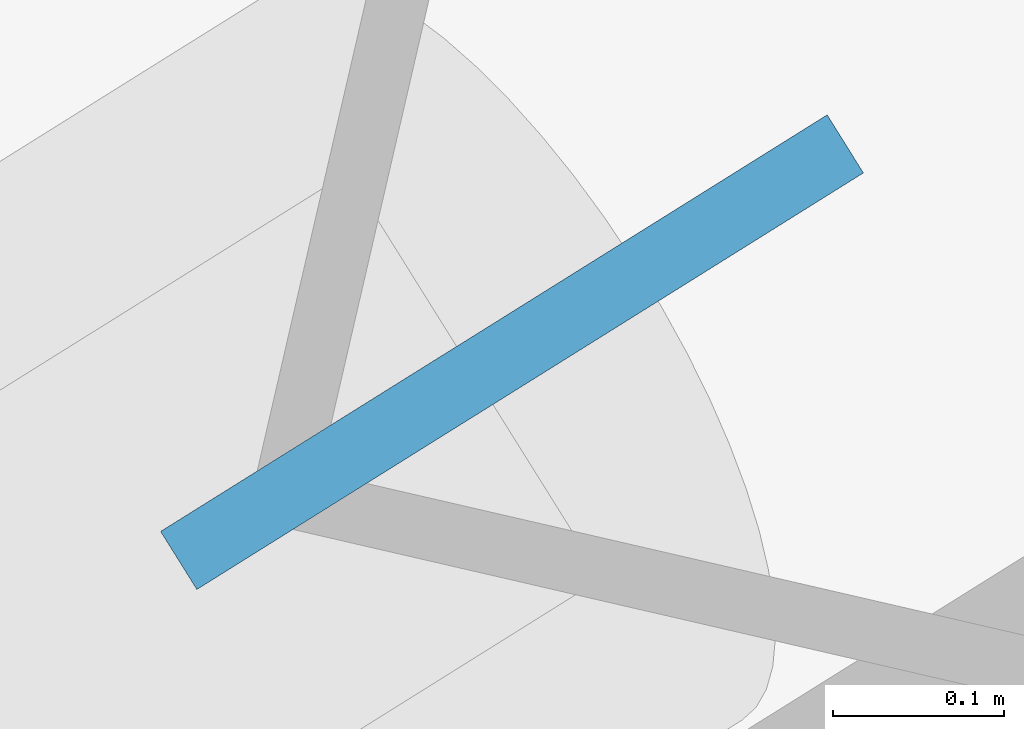
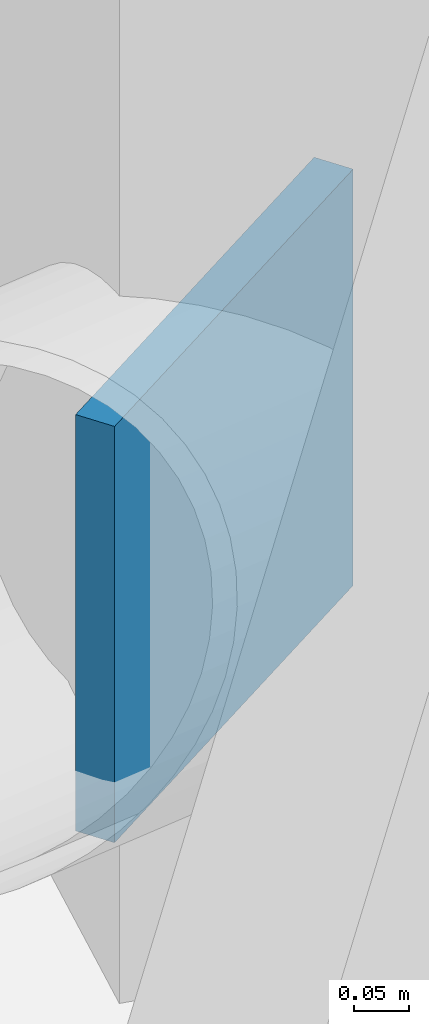
# One storey, part 15 of 18: 1 discrete accessory.
"""IFC4 building model written with IfcOpenShell, lengths in metres."""

from ifc_helpers import new_model, si_unit, direction, frame, origin, origin_2d, place, context, subcontext, project, spatial, rectangle, extrude, material, type_object, element, save


model = new_model("IFC4")

# Units and contexts
model_context = context("Model", 3, precision=1e-05, world=origin(), true_north=direction((0.0, 1.0)))
body_context = subcontext(model_context, "Body", "Model", "MODEL_VIEW")
ifc_project = project(units=[si_unit("LENGTHUNIT", "METRE"), si_unit("AREAUNIT", "SQUARE_METRE"), si_unit("VOLUMEUNIT", "CUBIC_METRE"), si_unit("PLANEANGLEUNIT", "RADIAN"), si_unit("MASSUNIT", "GRAM", prefix="KILO")], contexts=[model_context])

# Site, building, storey
site_placement = place(None, origin())
site = spatial("IfcSite", under=ifc_project, at=site_placement, CompositionType="ELEMENT")
building_placement = place(site_placement, origin())
building = spatial("IfcBuilding", under=site, at=building_placement, Name="Tavrogorsk Clinical Tower", CompositionType="ELEMENT")
storey_placement = place(building_placement, frame((0.0, 0.0, 51.39990234375)))
storey = spatial("IfcBuildingStorey", under=building, at=storey_placement, Name="L10", CompositionType="ELEMENT", Elevation=51.39990234375)

# Discrete accessory
ifc_material = material(Name="Structural steel S440", Category="steel")
discrete_accessory_type = type_object("IfcDiscreteAccessoryType", Name="GussetPlateBracket_25", PredefinedType="BRACKET", material=ifc_material)
discrete_accessory_placement = place(storey_placement, frame((-30.364013671875, 29.9541015625, 0.212646484375), z_axis=(0.0, 0.0, 1.0), x_axis=(-0.848048096156, -0.529919264233, 0.0)))
element("IfcDiscreteAccessory", 1, at=discrete_accessory_placement, inside=storey, type_object=discrete_accessory_type, Name="L10 Brace Gusset Plate EXOCRN-L10-3-A", PredefinedType="BRACKET", context=body_context, shape_type="SweptSolid", body=[
    extrude(rectangle(XDim=0.4599609375, YDim=0.0400390625, at=origin_2d()), origin(), (0.0, 0.0, 1.0), 0.4599609375),
])

save(model, "model.ifc")
